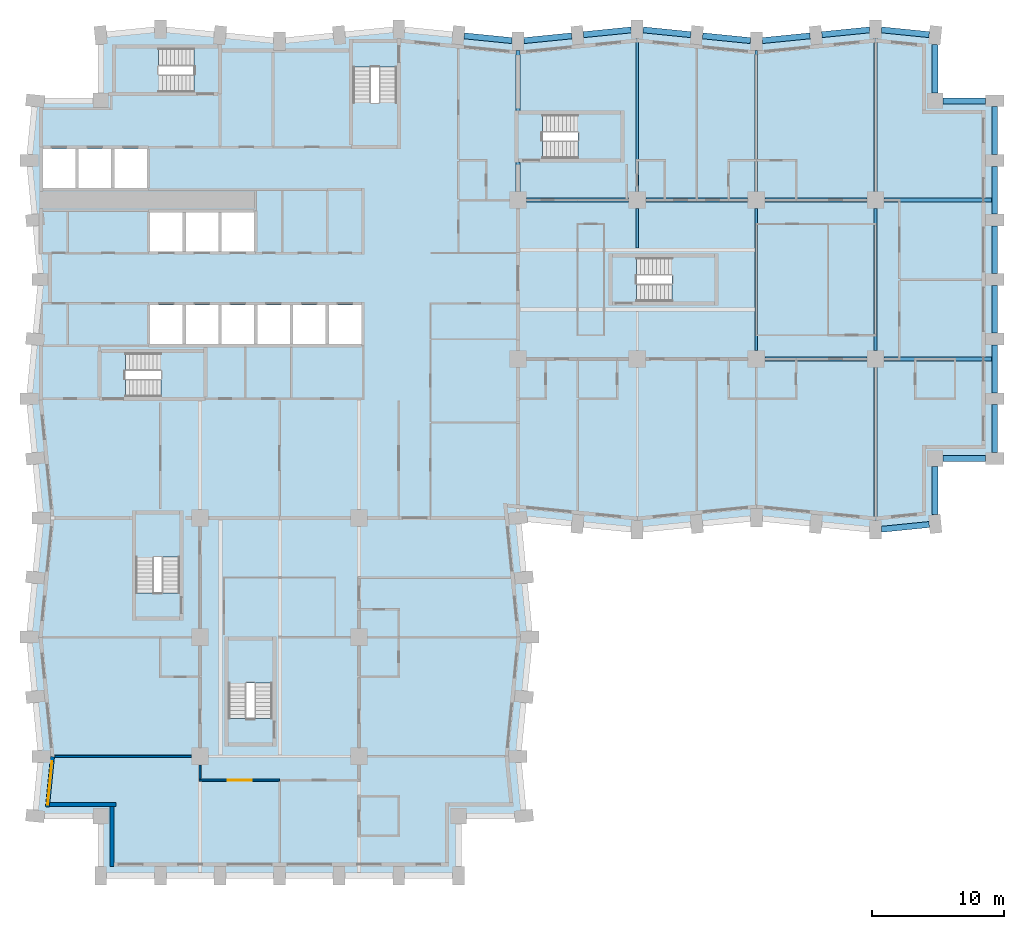
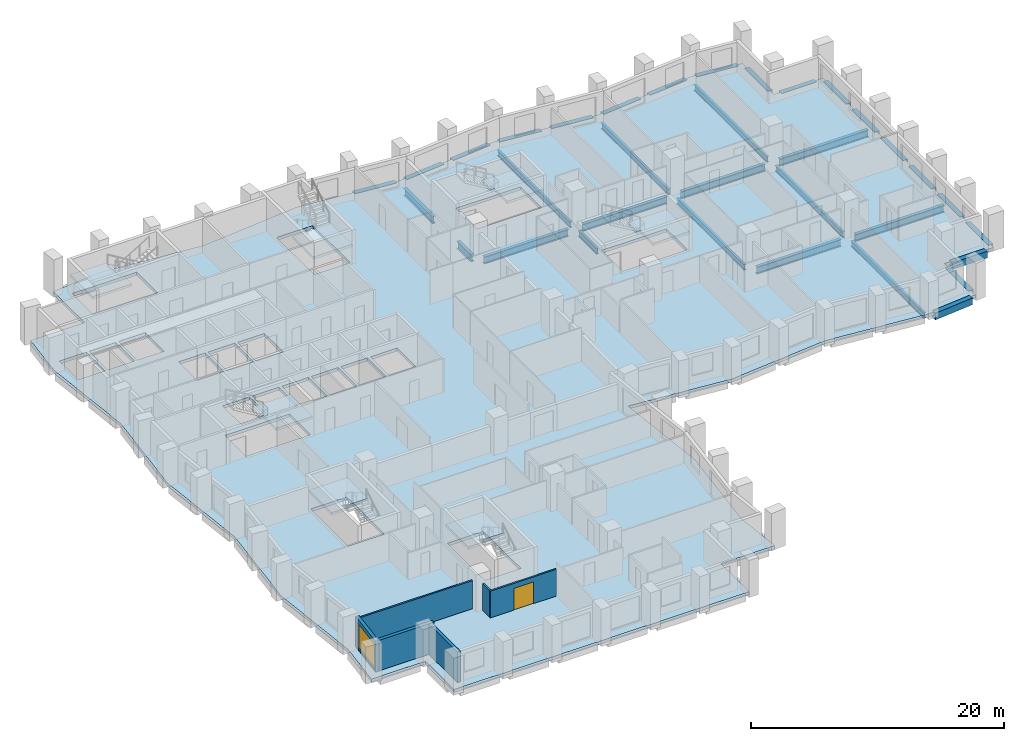
# One storey, part 2 of 13: 34 beams, 8 slabs, 6 walls, 1 door, 1 window, 2 openings, 7 elements without a shape of their own.
"""IFC4 building model written with IfcOpenShell, lengths in metres."""

from ifc_helpers import new_model, si_unit, direction, frame, frame_2d, origin, origin_2d, place, context, subcontext, project, spatial, polyline, rectangle, i_section, outline, extrude, material, layer, layer_set, material_profile, profile_set, type_object, element, fill, aggregate, save


model = new_model("IFC4")

# Units and contexts
model_context = context("Model", 3, precision=1e-05, world=origin(), true_north=direction((0.0, 1.0)))
body_context = subcontext(model_context, "Body", "Model", "MODEL_VIEW")
ifc_project = project(units=[si_unit("LENGTHUNIT", "METRE"), si_unit("AREAUNIT", "SQUARE_METRE"), si_unit("VOLUMEUNIT", "CUBIC_METRE"), si_unit("PLANEANGLEUNIT", "RADIAN"), si_unit("MASSUNIT", "GRAM", prefix="KILO")], contexts=[model_context])

# Site, building, storey
site_placement = place(None, origin())
site = spatial("IfcSite", under=ifc_project, at=site_placement, CompositionType="ELEMENT")
building_placement = place(site_placement, origin())
building = spatial("IfcBuilding", under=site, at=building_placement, Name="Brondeck Convention Tower", CompositionType="ELEMENT")
storey_placement = place(building_placement, frame((0.0, 0.0, 48.300048828125)))
storey = spatial("IfcBuildingStorey", under=building, at=storey_placement, Name="L09", CompositionType="ELEMENT", Elevation=48.300048828125)

# Beams
ifc_material_1 = material(Name="Steel S355", Category="steel")
ifc_material_profile_1 = material_profile(ifc_material_1, i_section(OverallWidth=0.2099609375, OverallDepth=0.550048828125, WebThickness=0.010986328125, FlangeThickness=0.01708984375, FilletRadius=0.02392578125, at=origin_2d()), Name="IPE 550")
ifc_profile_set_1 = profile_set([ifc_material_profile_1], Name="Steel S355")
beam_type_1 = type_object("IfcBeamType", Name="Floor beam IPE 550", PredefinedType="BEAM", material=ifc_profile_set_1)
beam_1_placement = place(storey_placement, frame((45.0, 51.64990234375, -0.574951171875), z_axis=(0.0, 1.0, 0.0), x_axis=(-1.0, 0.0, 0.0)))
element("IfcBeam", 1, at=beam_1_placement, inside=storey, type_object=beam_type_1, Name="STR-FB-L09-002", PredefinedType="BEAM", context=body_context, shape_type="SweptSolid", body=[
    extrude(i_section(OverallWidth=0.2099609375, OverallDepth=0.550048828125, WebThickness=0.010986328125, FlangeThickness=0.01708984375, FilletRadius=0.02392578125, at=origin_2d()), origin(), (0.0, 0.0, 1.0), 11.550048828125),
])
beam_2_placement = place(storey_placement, frame((54.0, 39.64990234375, -0.574951171875), z_axis=(0.0, 1.0, 0.0), x_axis=(-1.0, 0.0, 0.0)))
element("IfcBeam", 2, at=beam_2_placement, inside=storey, type_object=beam_type_1, Name="STR-FB-L09-004", PredefinedType="BEAM", context=body_context, shape_type="SweptSolid", body=[
    extrude(i_section(OverallWidth=0.2099609375, OverallDepth=0.550048828125, WebThickness=0.010986328125, FlangeThickness=0.01708984375, FilletRadius=0.02392578125, at=origin_2d()), origin(), (0.0, 0.0, 1.0), 10.7001953125),
])
beam_3_placement = place(storey_placement, frame((54.0, 51.64990234375, -0.574951171875), z_axis=(0.0, 1.0, 0.0), x_axis=(-1.0, 0.0, 0.0)))
element("IfcBeam", 3, at=beam_3_placement, inside=storey, type_object=beam_type_1, Name="STR-FB-L09-005", PredefinedType="BEAM", context=body_context, shape_type="SweptSolid", body=[
    extrude(i_section(OverallWidth=0.2099609375, OverallDepth=0.550048828125, WebThickness=0.010986328125, FlangeThickness=0.01708984375, FilletRadius=0.02392578125, at=origin_2d()), origin(), (0.0, 0.0, 1.0), 10.650146484375),
])
beam_4_placement = place(storey_placement, frame((63.0, 26.800048828125, -0.574951171875), z_axis=(0.0, 1.0, 0.0), x_axis=(-1.0, 0.0, 0.0)))
element("IfcBeam", 4, at=beam_4_placement, inside=storey, type_object=beam_type_1, Name="STR-FB-L09-006", PredefinedType="BEAM", context=body_context, shape_type="SweptSolid", body=[
    extrude(i_section(OverallWidth=0.2099609375, OverallDepth=0.550048828125, WebThickness=0.010986328125, FlangeThickness=0.01708984375, FilletRadius=0.02392578125, at=origin_2d()), origin(), (0.0, 0.0, 1.0), 11.550048828125),
])
beam_5_placement = place(storey_placement, frame((63.0, 39.64990234375, -0.574951171875), z_axis=(0.0, 1.0, 0.0), x_axis=(-1.0, 0.0, 0.0)))
element("IfcBeam", 5, at=beam_5_placement, inside=storey, type_object=beam_type_1, Name="STR-FB-L09-007", PredefinedType="BEAM", context=body_context, shape_type="SweptSolid", body=[
    extrude(i_section(OverallWidth=0.2099609375, OverallDepth=0.550048828125, WebThickness=0.010986328125, FlangeThickness=0.01708984375, FilletRadius=0.02392578125, at=origin_2d()), origin(), (0.0, 0.0, 1.0), 10.7001953125),
])
beam_6_placement = place(storey_placement, frame((63.0, 51.64990234375, -0.574951171875), z_axis=(0.0, 1.0, 0.0), x_axis=(-1.0, 0.0, 0.0)))
element("IfcBeam", 6, at=beam_6_placement, inside=storey, type_object=beam_type_1, Name="STR-FB-L09-008", PredefinedType="BEAM", context=body_context, shape_type="SweptSolid", body=[
    extrude(i_section(OverallWidth=0.2099609375, OverallDepth=0.550048828125, WebThickness=0.010986328125, FlangeThickness=0.01708984375, FilletRadius=0.02392578125, at=origin_2d()), origin(), (0.0, 0.0, 1.0), 11.550048828125),
])
beam_7_placement = place(storey_placement, frame((45.0, 47.39990234375, -0.574951171875), z_axis=(0.0, 1.0, 0.0), x_axis=(-1.0, 0.0, 0.0)))
element("IfcBeam", 7, at=beam_7_placement, inside=storey, type_object=beam_type_1, Name="STR-FB-L09-015", PredefinedType="BEAM", context=body_context, shape_type="SweptSolid", body=[
    extrude(i_section(OverallWidth=0.2099609375, OverallDepth=0.550048828125, WebThickness=0.010986328125, FlangeThickness=0.01708984375, FilletRadius=0.02392578125, at=origin_2d()), origin(), (0.0, 0.0, 1.0), 2.9501953125),
])
ifc_material_profile_2 = material_profile(ifc_material_1, i_section(OverallWidth=0.300048828125, OverallDepth=0.699951171875, WebThickness=0.01708984375, FlangeThickness=0.031982421875, FilletRadius=0.027099609375, at=origin_2d()), Name="HEB 700")
ifc_profile_set_2 = profile_set([ifc_material_profile_2], Name="Steel S355")
beam_type_2 = type_object("IfcBeamType", Name="Girder HEB 700", PredefinedType="BEAM", material=ifc_profile_set_2)
beam_8_placement = place(storey_placement, frame((54.64990234375, 39.0, -0.650146484375), z_axis=(1.0, 0.0, 0.0), x_axis=(0.0, 1.0, 0.0)))
element("IfcBeam", 8, at=beam_8_placement, inside=storey, type_object=beam_type_2, Name="STR-GR-L09-003", PredefinedType="BEAM", context=body_context, shape_type="SweptSolid", body=[
    extrude(i_section(OverallWidth=0.300048828125, OverallDepth=0.699951171875, WebThickness=0.01708984375, FlangeThickness=0.031982421875, FilletRadius=0.027099609375, at=origin_2d()), origin(), (0.0, 0.0, 1.0), 7.7001953125),
])
beam_9_placement = place(storey_placement, frame((63.64990234375, 39.0, -0.650146484375), z_axis=(1.0, 0.0, 0.0), x_axis=(0.0, 1.0, 0.0)))
element("IfcBeam", 9, at=beam_9_placement, inside=storey, type_object=beam_type_2, Name="STR-GR-L09-004", PredefinedType="BEAM", context=body_context, shape_type="SweptSolid", body=[
    extrude(i_section(OverallWidth=0.300048828125, OverallDepth=0.699951171875, WebThickness=0.01708984375, FlangeThickness=0.031982421875, FilletRadius=0.027099609375, at=origin_2d()), origin(), (0.0, 0.0, 1.0), 8.125),
])
for number, where, z_axis, x_axis, name in (
    (10, (36.64990234375, 51.0, -0.650146484375), (1.0, 0.0, 0.0), (0.0, 1.0, 0.0), "STR-GR-L09-005"),
    (11, (45.64990234375, 51.0, -0.650146484375), (1.0, 0.0, 0.0), (0.0, 1.0, 0.0), "STR-GR-L09-006"),
    (12, (54.64990234375, 51.0, -0.650146484375), (1.0, 0.0, 0.0), (0.0, 1.0, 0.0), "STR-GR-L09-007"),
):
    element("IfcBeam", number, at=place(storey_placement, frame(where, z_axis=z_axis, x_axis=x_axis)), inside=storey, type_object=beam_type_2, Name=name, PredefinedType="BEAM", context=body_context, shape_type="SweptSolid", body=[
        extrude(i_section(OverallWidth=0.300048828125, OverallDepth=0.699951171875, WebThickness=0.01708984375, FlangeThickness=0.031982421875, FilletRadius=0.027099609375, at=origin_2d()), origin(), (0.0, 0.0, 1.0), 7.7001953125),
    ])
beam_10_placement = place(storey_placement, frame((63.64990234375, 51.0, -0.650146484375), z_axis=(1.0, 0.0, 0.0), x_axis=(0.0, 1.0, 0.0)))
element("IfcBeam", 13, at=beam_10_placement, inside=storey, type_object=beam_type_2, Name="STR-GR-L09-008", PredefinedType="BEAM", context=body_context, shape_type="SweptSolid", body=[
    extrude(i_section(OverallWidth=0.300048828125, OverallDepth=0.699951171875, WebThickness=0.01708984375, FlangeThickness=0.031982421875, FilletRadius=0.027099609375, at=origin_2d()), origin(), (0.0, 0.0, 1.0), 8.125),
])
beam_11_placement = place(storey_placement, frame((36.0, 51.64990234375, -0.650146484375), z_axis=(0.0, 1.0, 0.0), x_axis=(-1.0, 0.0, 0.0)))
element("IfcBeam", 14, at=beam_11_placement, inside=storey, type_object=beam_type_2, Name="STR-GR-L09-011", PredefinedType="BEAM", context=body_context, shape_type="SweptSolid", body=[
    extrude(i_section(OverallWidth=0.300048828125, OverallDepth=0.699951171875, WebThickness=0.01708984375, FlangeThickness=0.031982421875, FilletRadius=0.027099609375, at=origin_2d()), origin(), (0.0, 0.0, 1.0), 2.22998046875),
])
beam_12_placement = place(storey_placement, frame((36.0, 57.719970703125, -0.650146484375), z_axis=(0.0, 1.0, 0.0), x_axis=(-1.0, 0.0, 0.0)))
element("IfcBeam", 15, at=beam_12_placement, inside=storey, type_object=beam_type_2, Name="STR-GR-L09-012", PredefinedType="BEAM", context=body_context, shape_type="SweptSolid", body=[
    extrude(i_section(OverallWidth=0.300048828125, OverallDepth=0.699951171875, WebThickness=0.01708984375, FlangeThickness=0.031982421875, FilletRadius=0.027099609375, at=origin_2d()), origin(), (0.0, 0.0, 1.0), 4.580078125),
])
ifc_material_2 = material(Name="Concrete C80/95", Category="concrete")
ifc_material_profile_3 = material_profile(ifc_material_2, rectangle(XDim=0.449951171875, YDim=0.64990234375, at=origin_2d()), Name="Precast spandrel 450x650 Concrete C80/95")
ifc_profile_set_3 = profile_set([ifc_material_profile_3], Name="Concrete C80/95")
beam_type_3 = type_object("IfcBeamType", Name="Precast spandrel 450x650 Concrete C80/95", PredefinedType="SPANDREL", material=ifc_profile_set_3)
beam_13_placement = place(storey_placement, frame((63.449951171875, 26.14501953125, -0.324951171875), z_axis=(0.995040528141, 0.099470334057, 0.0), x_axis=(-0.099470334057, 0.995040528141, 0.0)))
element("IfcBeam", 16, at=beam_13_placement, inside=storey, type_object=beam_type_3, Name="STR-SP-L09-020", PredefinedType="SPANDREL", context=body_context, shape_type="SweptSolid", body=[
    extrude(rectangle(XDim=0.449951171875, YDim=0.64990234375, at=origin_2d()), origin(), (0.0, 0.0, 1.0), 3.620361328125),
])
beam_14_placement = place(storey_placement, frame((67.5, 27.25341796875, -0.324951171875), z_axis=(0.0, 1.0, 0.0), x_axis=(-1.0, 0.0, 0.0)))
element("IfcBeam", 17, at=beam_14_placement, inside=storey, type_object=beam_type_3, Name="STR-SP-L09-021", PredefinedType="SPANDREL", context=body_context, shape_type="SweptSolid", body=[
    extrude(rectangle(XDim=0.449951171875, YDim=0.64990234375, at=origin_2d()), origin(), (0.0, 0.0, 1.0), 3.646484375),
])
beam_15_placement = place(storey_placement, frame((68.10009765625, 31.5, -0.324951171875), z_axis=(1.0, 0.0, 0.0), x_axis=(0.0, 1.0, 0.0)))
element("IfcBeam", 18, at=beam_15_placement, inside=storey, type_object=beam_type_3, Name="STR-SP-L09-022", PredefinedType="SPANDREL", context=body_context, shape_type="SweptSolid", body=[
    extrude(rectangle(XDim=0.449951171875, YDim=0.64990234375, at=origin_2d()), origin(), (0.0, 0.0, 1.0), 3.199951171875),
])
for number, where, z_axis, x_axis, name in (
    (19, (72.0, 31.949951171875, -0.324951171875), (0.0, 1.0, 0.0), (-1.0, 0.0, 0.0), "STR-SP-L09-023"),
    (20, (72.0, 36.449951171875, -0.324951171875), (0.0, 1.0, 0.0), (-1.0, 0.0, 0.0), "STR-SP-L09-024"),
    (21, (72.0, 40.949951171875, -0.324951171875), (0.0, 1.0, 0.0), (-1.0, 0.0, 0.0), "STR-SP-L09-025"),
    (22, (72.0, 45.449951171875, -0.324951171875), (0.0, 1.0, 0.0), (-1.0, 0.0, 0.0), "STR-SP-L09-026"),
    (23, (72.0, 49.949951171875, -0.324951171875), (0.0, 1.0, 0.0), (-1.0, 0.0, 0.0), "STR-SP-L09-027"),
    (24, (72.0, 54.449951171875, -0.324951171875), (0.0, 1.0, 0.0), (-1.0, 0.0, 0.0), "STR-SP-L09-028"),
):
    element("IfcBeam", number, at=place(storey_placement, frame(where, z_axis=z_axis, x_axis=x_axis)), inside=storey, type_object=beam_type_3, Name=name, PredefinedType="SPANDREL", context=body_context, shape_type="SweptSolid", body=[
        extrude(rectangle(XDim=0.449951171875, YDim=0.64990234375, at=origin_2d()), origin(), (0.0, 0.0, 1.0), 3.60009765625),
    ])
beam_16_placement = place(storey_placement, frame((71.300048828125, 58.5, -0.324951171875), z_axis=(-1.0, 0.0, 0.0), x_axis=(0.0, -1.0, 0.0)))
element("IfcBeam", 25, at=beam_16_placement, inside=storey, type_object=beam_type_3, Name="STR-SP-L09-029", PredefinedType="SPANDREL", context=body_context, shape_type="SweptSolid", body=[
    extrude(rectangle(XDim=0.449951171875, YDim=0.64990234375, at=origin_2d()), origin(), (0.0, 0.0, 1.0), 3.199951171875),
])
beam_17_placement = place(storey_placement, frame((67.5, 59.10009765625, -0.324951171875), z_axis=(0.0, 1.0, 0.0), x_axis=(-1.0, 0.0, 0.0)))
element("IfcBeam", 26, at=beam_17_placement, inside=storey, type_object=beam_type_3, Name="STR-SP-L09-030", PredefinedType="SPANDREL", context=body_context, shape_type="SweptSolid", body=[
    extrude(rectangle(XDim=0.449951171875, YDim=0.64990234375, at=origin_2d()), origin(), (0.0, 0.0, 1.0), 3.646484375),
])
for number, where, z_axis, x_axis, name in (
    (27, (67.05224609375, 63.494873046875, -0.324951171875), (-0.995040528141, 0.099470334057, 0.0), (-0.099470334057, -0.995040528141, 0.0), "STR-SP-L09-031"),
    (28, (62.550048828125, 63.85498046875, -0.324951171875), (-0.995040528141, -0.099470334057, 0.0), (0.099470334057, -0.995040528141, 0.0), "STR-SP-L09-032"),
    (29, (58.05224609375, 63.4052734375, -0.324951171875), (-0.995033851182, -0.099537103649, 0.0), (0.099537103649, -0.995033851182, 0.0), "STR-SP-L09-033"),
    (30, (53.550048828125, 63.044921875, -0.324951171875), (-0.995033851182, 0.099537103649, 0.0), (-0.099537103649, -0.995033851182, 0.0), "STR-SP-L09-034"),
    (31, (49.05224609375, 63.494873046875, -0.324951171875), (-0.995040528141, 0.099470334057, 0.0), (-0.099470334057, -0.995040528141, 0.0), "STR-SP-L09-035"),
    (32, (44.550048828125, 63.85498046875, -0.324951171875), (-0.995040528141, -0.099470334057, 0.0), (0.099470334057, -0.995040528141, 0.0), "STR-SP-L09-036"),
    (33, (40.05224609375, 63.4052734375, -0.324951171875), (-0.995033851182, -0.099537103649, 0.0), (0.099537103649, -0.995033851182, 0.0), "STR-SP-L09-037"),
    (34, (35.550048828125, 63.044921875, -0.324951171875), (-0.995033851182, 0.099537103649, 0.0), (-0.099537103649, -0.995033851182, 0.0), "STR-SP-L09-038"),
):
    element("IfcBeam", number, at=place(storey_placement, frame(where, z_axis=z_axis, x_axis=x_axis)), inside=storey, type_object=beam_type_3, Name=name, PredefinedType="SPANDREL", context=body_context, shape_type="SweptSolid", body=[
        extrude(rectangle(XDim=0.449951171875, YDim=0.64990234375, at=origin_2d()), origin(), (0.0, 0.0, 1.0), 3.620361328125),
    ])

# Slab
ifc_material_3 = material(Name="Concrete C35/45", Category="concrete")
ifc_layer_1 = layer(ifc_material_3, 0.300048828125)
ifc_layer_set_1 = layer_set([ifc_layer_1], Name="Composite floor slab 300")
slab_type_1 = type_object("IfcSlabType", Name="Composite floor slab 300", PredefinedType="FLOOR", material=ifc_layer_set_1)
slab_1_placement = place(storey_placement, frame((0.0, 0.0, -0.300048828125)))
element("IfcSlab", 35, at=slab_1_placement, inside=storey, type_object=slab_type_1, Name="STR-SL-L09", PredefinedType="FLOOR", context=body_context, shape_type="SweptSolid", body=[
    extrude(outline(polyline([(4.5, 4.5), (-0.449951171875, 4.5), (0.0, 9.0), (-0.89990234375, 18.0), (0.0, 27.0), (-0.89990234375, 36.0), (0.0, 45.0), (-0.89990234375, 54.0), (-0.449951171875, 58.5), (4.5, 58.5), (4.5, 63.449951171875), (9.0, 63.89990234375), (18.0, 63.0), (27.0, 63.89990234375), (36.0, 63.0), (45.0, 63.89990234375), (54.0, 63.0), (63.0, 63.89990234375), (67.5, 63.449951171875), (67.5, 58.5), (72.0, 58.5), (72.0, 31.5), (67.5, 31.5), (67.5, 26.550048828125), (63.0, 26.10009765625), (54.0, 27.0), (45.0, 26.10009765625), (36.0, 27.0), (36.89990234375, 18.0), (36.0, 9.0), (36.449951171875, 4.5), (31.5, 4.5), (31.5, 0.0), (4.5, 0.0), (4.5, 4.5)]), holes=[polyline([(10.447998046875, 27.248046875), (7.152099609375, 27.248046875), (7.152099609375, 21.35205078125), (10.447998046875, 21.35205078125), (10.447998046875, 27.248046875)]), polyline([(12.248046875, 36.152099609375), (12.248046875, 39.447998046875), (6.35205078125, 39.447998046875), (6.35205078125, 36.152099609375), (12.248046875, 36.152099609375)]), polyline([(10.675048828125, 40.125), (10.675048828125, 43.074951171875), (8.22509765625, 43.074951171875), (8.22509765625, 40.125), (10.675048828125, 40.125)]), polyline([(13.375, 40.125), (13.375, 43.074951171875), (10.925048828125, 43.074951171875), (10.925048828125, 40.125), (13.375, 40.125)]), polyline([(10.675048828125, 47.125), (10.675048828125, 50.074951171875), (8.22509765625, 50.074951171875), (8.22509765625, 47.125), (10.675048828125, 47.125)]), polyline([(13.375, 47.125), (13.375, 50.074951171875), (10.925048828125, 50.074951171875), (10.925048828125, 47.125), (13.375, 47.125)]), polyline([(2.574951171875, 51.925048828125), (2.574951171875, 54.875), (0.125, 54.875), (0.125, 51.925048828125), (2.574951171875, 51.925048828125)]), polyline([(2.824951171875, 51.925048828125), (5.27490234375, 51.925048828125), (5.27490234375, 54.875), (2.824951171875, 54.875), (2.824951171875, 51.925048828125)]), polyline([(5.52490234375, 51.925048828125), (7.97509765625, 51.925048828125), (7.97509765625, 54.875), (5.52490234375, 54.875), (5.52490234375, 51.925048828125)]), polyline([(5.652099609375, 62.447998046875), (5.652099609375, 59.152099609375), (11.548095703125, 59.152099609375), (11.548095703125, 62.447998046875), (5.652099609375, 62.447998046875)]), polyline([(17.447998046875, 17.748046875), (14.152099609375, 17.748046875), (14.152099609375, 11.85205078125), (17.447998046875, 11.85205078125), (17.447998046875, 17.748046875)]), polyline([(16.074951171875, 40.125), (16.074951171875, 43.074951171875), (13.625, 43.074951171875), (13.625, 40.125), (16.074951171875, 40.125)]), polyline([(16.324951171875, 40.125), (18.77490234375, 40.125), (18.77490234375, 43.074951171875), (16.324951171875, 43.074951171875), (16.324951171875, 40.125)]), polyline([(19.02490234375, 40.125), (21.47509765625, 40.125), (21.47509765625, 43.074951171875), (19.02490234375, 43.074951171875), (19.02490234375, 40.125)]), polyline([(24.175048828125, 40.125), (24.175048828125, 43.074951171875), (21.72509765625, 43.074951171875), (21.72509765625, 40.125), (24.175048828125, 40.125)]), polyline([(50.847900390625, 43.35205078125), (50.847900390625, 46.64794921875), (44.951904296875, 46.64794921875), (44.951904296875, 43.35205078125), (50.847900390625, 43.35205078125)]), polyline([(16.074951171875, 47.125), (16.074951171875, 50.074951171875), (13.625, 50.074951171875), (13.625, 47.125), (16.074951171875, 47.125)]), polyline([(37.85205078125, 54.152099609375), (43.748046875, 54.152099609375), (43.748046875, 57.447998046875), (37.85205078125, 57.447998046875), (37.85205078125, 54.152099609375)]), polyline([(23.552001953125, 61.048095703125), (23.552001953125, 55.152099609375), (26.847900390625, 55.152099609375), (26.847900390625, 61.048095703125), (23.552001953125, 61.048095703125)])]), origin(), (0.0, 0.0, 1.0), 0.300048828125),
])

# Stair, slab
ifc_material_4 = material(Name="Precast concrete C50/60", Category="concrete")
stair_type = type_object("IfcStairType", Name="Core stair 20 risers 180.00 mm riser 300 mm going 1350 wide", PredefinedType="HALF_TURN_STAIR", material=ifc_material_4)
stair_1_placement = place(storey_placement, origin())
stair_1 = element("IfcStair", 36, at=stair_1_placement, inside=storey, type_object=stair_type, Name="ST-1 L09 stair", PredefinedType="HALF_TURN_STAIR")
ifc_layer_2 = layer(ifc_material_4, 0.25)
ifc_layer_set_2 = layer_set([ifc_layer_2], Name="Core stair landing 250 Precast concrete C50/60")
slab_type_2 = type_object("IfcSlabType", Name="Core stair landing 250 Precast concrete C50/60", PredefinedType="LANDING", material=ifc_layer_set_2)
slab_2_placement = place(storey_placement, frame((0.0, 0.0, 1.550048828125)))
slab_2 = element("IfcSlab", 37, at=slab_2_placement, type_object=slab_type_2, Name="ST-1 landing 1", PredefinedType="LANDING", context=body_context, shape_type="SweptSolid", body=[
    extrude(outline(polyline([(9.048095703125, 37.5), (9.050048828125, 37.5), (9.050048828125, 38.10009765625), (8.75, 38.10009765625), (8.75, 39.570068359375), (12.3701171875, 39.570068359375), (12.3701171875, 36.030029296875), (9.048095703125, 36.030029296875), (9.048095703125, 37.5)])), origin(), (0.0, 0.0, 1.0), 0.25),
])
aggregate(stair_1, [slab_2])

stair_2_placement = place(storey_placement, origin())
stair_2 = element("IfcStair", 38, at=stair_2_placement, inside=storey, type_object=stair_type, Name="ST-2 L09 stair", PredefinedType="HALF_TURN_STAIR")
slab_3_placement = place(storey_placement, frame((0.0, 0.0, 1.550048828125)))
slab_3 = element("IfcSlab", 39, at=slab_3_placement, type_object=slab_type_2, Name="ST-2 landing 1", PredefinedType="LANDING", context=body_context, shape_type="SweptSolid", body=[
    extrude(outline(polyline([(23.429931640625, 58.35205078125), (24.89990234375, 58.35205078125), (24.89990234375, 58.35009765625), (25.5, 58.35009765625), (25.5, 58.64990234375), (26.969970703125, 58.64990234375), (26.969970703125, 55.030029296875), (23.429931640625, 55.030029296875), (23.429931640625, 58.35205078125)])), origin(), (0.0, 0.0, 1.0), 0.25),
])
aggregate(stair_2, [slab_3])

stair_3_placement = place(storey_placement, origin())
stair_3 = element("IfcStair", 40, at=stair_3_placement, inside=storey, type_object=stair_type, Name="ST-3 L09 stair", PredefinedType="HALF_TURN_STAIR")
slab_4_placement = place(storey_placement, frame((0.0, 0.0, 1.550048828125)))
slab_4 = element("IfcSlab", 41, at=slab_4_placement, type_object=slab_type_2, Name="ST-3 landing 1", PredefinedType="LANDING", context=body_context, shape_type="SweptSolid", body=[
    extrude(outline(polyline([(9.14990234375, 60.5), (9.14990234375, 59.030029296875), (5.530029296875, 59.030029296875), (5.530029296875, 62.570068359375), (8.85205078125, 62.570068359375), (8.85205078125, 61.10009765625), (8.85009765625, 61.10009765625), (8.85009765625, 60.5), (9.14990234375, 60.5)])), origin(), (0.0, 0.0, 1.0), 0.25),
])
aggregate(stair_3, [slab_4])

stair_4_placement = place(storey_placement, origin())
stair_4 = element("IfcStair", 42, at=stair_4_placement, inside=storey, type_object=stair_type, Name="ST-AE L09 stair", PredefinedType="HALF_TURN_STAIR")
slab_5_placement = place(storey_placement, frame((0.0, 0.0, 1.550048828125)))
slab_5 = element("IfcSlab", 43, at=slab_5_placement, type_object=slab_type_2, Name="ST-AE landing 1", PredefinedType="LANDING", context=body_context, shape_type="SweptSolid", body=[
    extrude(outline(polyline([(40.548095703125, 55.5), (40.550048828125, 55.5), (40.550048828125, 56.10009765625), (40.25, 56.10009765625), (40.25, 57.570068359375), (43.8701171875, 57.570068359375), (43.8701171875, 54.030029296875), (40.548095703125, 54.030029296875), (40.548095703125, 55.5)])), origin(), (0.0, 0.0, 1.0), 0.25),
])
aggregate(stair_4, [slab_5])

stair_5_placement = place(storey_placement, origin())
stair_5 = element("IfcStair", 44, at=stair_5_placement, inside=storey, type_object=stair_type, Name="ST-BE L09 stair", PredefinedType="HALF_TURN_STAIR")
slab_6_placement = place(storey_placement, frame((0.0, 0.0, 1.550048828125)))
slab_6 = element("IfcSlab", 45, at=slab_6_placement, type_object=slab_type_2, Name="ST-BE landing 1", PredefinedType="LANDING", context=body_context, shape_type="SweptSolid", body=[
    extrude(outline(polyline([(7.030029296875, 23.75), (7.030029296875, 27.3701171875), (10.570068359375, 27.3701171875), (10.570068359375, 24.048095703125), (9.10009765625, 24.048095703125), (9.10009765625, 24.050048828125), (8.5, 24.050048828125), (8.5, 23.75), (7.030029296875, 23.75)])), origin(), (0.0, 0.0, 1.0), 0.25),
])
aggregate(stair_5, [slab_6])

stair_6_placement = place(storey_placement, origin())
stair_6 = element("IfcStair", 46, at=stair_6_placement, inside=storey, type_object=stair_type, Name="ST-AF L09 stair", PredefinedType="HALF_TURN_STAIR")
slab_7_placement = place(storey_placement, frame((0.0, 0.0, 1.550048828125)))
slab_7 = element("IfcSlab", 47, at=slab_7_placement, type_object=slab_type_2, Name="ST-AF landing 1", PredefinedType="LANDING", context=body_context, shape_type="SweptSolid", body=[
    extrude(outline(polyline([(47.64794921875, 44.699951171875), (47.64990234375, 44.699951171875), (47.64990234375, 45.300048828125), (47.35009765625, 45.300048828125), (47.35009765625, 46.77001953125), (50.969970703125, 46.77001953125), (50.969970703125, 43.22998046875), (47.64794921875, 43.22998046875), (47.64794921875, 44.699951171875)])), origin(), (0.0, 0.0, 1.0), 0.25),
])
aggregate(stair_6, [slab_7])

stair_7_placement = place(storey_placement, origin())
stair_7 = element("IfcStair", 48, at=stair_7_placement, inside=storey, type_object=stair_type, Name="ST-BF L09 stair", PredefinedType="HALF_TURN_STAIR")
slab_8_placement = place(storey_placement, frame((0.0, 0.0, 1.550048828125)))
slab_8 = element("IfcSlab", 49, at=slab_8_placement, type_object=slab_type_2, Name="ST-BF landing 1", PredefinedType="LANDING", context=body_context, shape_type="SweptSolid", body=[
    extrude(outline(polyline([(14.030029296875, 14.25), (14.030029296875, 17.8701171875), (17.570068359375, 17.8701171875), (17.570068359375, 14.548095703125), (16.10009765625, 14.548095703125), (16.10009765625, 14.550048828125), (15.5, 14.550048828125), (15.5, 14.25), (14.030029296875, 14.25)])), origin(), (0.0, 0.0, 1.0), 0.25),
])
aggregate(stair_7, [slab_8])

# Wall, opening, window
ifc_material_5 = material(Name="Precast concrete C50/60 bronze finish", Category="concrete")
ifc_layer_3 = layer(ifc_material_5, 0.070068359375, Name="Bronze precast facing")
ifc_material_6 = material(Name="Mineral wool")
ifc_layer_4 = layer(ifc_material_6, 0.159912109375, Name="Insulation")
ifc_layer_5 = layer(ifc_material_3, 0.070068359375, Name="Backing")
ifc_layer_set_3 = layer_set([ifc_layer_3, ifc_layer_4, ifc_layer_5], Name="External infill wall, precast concrete C50/60 bronze facing")
wall_type_1 = type_object("IfcWallType", Name="External infill wall, precast concrete C50/60 bronze facing", PredefinedType="SOLIDWALL", material=ifc_layer_set_3)
wall_1_placement = place(storey_placement, frame((0.47265625, 5.18505859375, 0.0), z_axis=(0.0, 0.0, 1.0), x_axis=(0.099541845169, 0.995033376857, 0.0)))
wall_1 = element("IfcWall", 50, at=wall_1_placement, inside=storey, type_object=wall_type_1, Name="ENV-EW-L09-P0-B-W-12", PredefinedType="SOLIDWALL", context=body_context, shape_type="SweptSolid", body=[
    extrude(rectangle(XDim=3.803955078125, YDim=0.300048828125, at=frame_2d((1.90185546875, 0.0))), origin(), (0.0, 0.0, 1.0), 2.949951171875),
])
opening_1_placement = place(wall_1_placement, frame((0.14990234375, 0.0, 0.14990234375)))
opening_1 = element("IfcOpeningElement", 51, at=opening_1_placement, cuts=wall_1, Name="Opening W9", PredefinedType="OPENING", context=body_context, shape_type="SweptSolid", body=[
    extrude(rectangle(XDim=3.300048828125, YDim=2.39990234375, at=frame_2d((1.64990234375, 1.199951171875))), frame((0.0, 0.159912109375, 0.0), z_axis=(0.0, -1.0, 0.0), x_axis=(1.0, 0.0, 0.0)), (0.0, 0.0, 1.0), 0.320068359375),
])
ifc_material_7 = material(Name="Bronze tinted double glazing", Category="glass")
window_type = type_object("IfcWindowType", Name="Glazed flute window, bronze tinted", PartitioningType="SINGLE_PANEL", PredefinedType="WINDOW", material=ifc_material_7)
window_placement = place(opening_1_placement, origin())
window = element("IfcWindow", 52, at=window_placement, inside=storey, type_object=window_type, Name="ENV-WN-L09-P0-B-W-12", OverallHeight=2.39990234375, OverallWidth=3.300048828125, PartitioningType="SINGLE_PANEL", PredefinedType="WINDOW", context=body_context, shape_type="SweptSolid", body=[
    extrude(rectangle(XDim=3.300048828125, YDim=2.39990234375, at=frame_2d((1.64990234375, 1.199951171875))), frame((0.0, 0.030029296875, 0.0), z_axis=(0.0, -1.0, 0.0), x_axis=(1.0, 0.0, 0.0)), (0.0, 0.0, 1.0), 0.06005859375),
])
fill(opening_1, window)

# Walls
wall_2_placement = place(storey_placement, frame((5.64990234375, 5.35009765625, 0.0), z_axis=(0.0, 0.0, 1.0), x_axis=(-1.0, 0.0, 0.0)))
element("IfcWall", 53, at=wall_2_placement, inside=storey, type_object=wall_type_1, Name="ENV-EW-L09-P0-NC-SWB0-01", PredefinedType="SOLIDWALL", context=body_context, shape_type="SweptSolid", body=[
    extrude(rectangle(XDim=5.004638671875, YDim=0.300048828125, at=frame_2d((2.50244140625, 0.0))), origin(), (0.0, 0.0, 1.0), 2.949951171875),
])
wall_3_placement = place(storey_placement, frame((5.35009765625, 0.699951171875, 0.0), z_axis=(0.0, 0.0, 1.0), x_axis=(0.0, 1.0, 0.0)))
element("IfcWall", 54, at=wall_3_placement, inside=storey, type_object=wall_type_1, Name="ENV-EW-L09-P0-NC-SWB0-02", PredefinedType="SOLIDWALL", context=body_context, shape_type="SweptSolid", body=[
    extrude(rectangle(XDim=4.5, YDim=0.300048828125, at=frame_2d((2.25, 0.0))), origin(), (0.0, 0.0, 1.0), 2.949951171875),
])

# Wall, opening, door
ifc_material_8 = material(Name="Double gypsum board acoustic wall")
ifc_layer_6 = layer(ifc_material_8, 0.14990234375)
ifc_layer_set_4 = layer_set([ifc_layer_6], Name="Guest room party wall 150")
wall_type_2 = type_object("IfcWallType", Name="Guest room party wall 150", PredefinedType="PARTITIONING", material=ifc_layer_set_4)
wall_4_placement = place(storey_placement, frame((18.0, 7.199951171875, 0.0), z_axis=(0.0, 0.0, 1.0), x_axis=(-1.0, 0.0, 0.0)))
wall_4 = element("IfcWall", 55, at=wall_4_placement, inside=storey, type_object=wall_type_2, Name="FLR-L09-W006", PredefinedType="PARTITIONING", context=body_context, shape_type="SweptSolid", body=[
    extrude(rectangle(XDim=6.074951171875, YDim=0.14990234375, at=frame_2d((3.03759765625, 0.0))), origin(), (0.0, 0.0, 1.0), 2.579833984375),
])
opening_2_placement = place(wall_4_placement, frame((2.10009765625, 0.0, 0.0)))
opening_2 = element("IfcOpeningElement", 56, at=opening_2_placement, cuts=wall_4, Name="Opening H2-030", PredefinedType="OPENING", context=body_context, shape_type="SweptSolid", body=[
    extrude(rectangle(XDim=1.800048828125, YDim=2.10009765625, at=frame_2d((0.89990234375, 1.050048828125))), frame((0.0, 0.0849609375, 0.0), z_axis=(0.0, -1.0, 0.0), x_axis=(1.0, 0.0, 0.0)), (0.0, 0.0, 1.0), 0.169921875),
])
ifc_material_9 = material(Name="Glazed timber double door", Category="wood")
door_type = type_object("IfcDoorType", Name="Double door 1800", OperationType="DOUBLE_DOOR_SINGLE_SWING", PredefinedType="DOOR", material=ifc_material_9)
door_placement = place(opening_2_placement, origin())
door = element("IfcDoor", 57, at=door_placement, inside=storey, type_object=door_type, Name="Door H2-030", OperationType="DOUBLE_DOOR_SINGLE_SWING", OverallHeight=2.10009765625, OverallWidth=1.800048828125, PredefinedType="DOOR", context=body_context, shape_type="SweptSolid", body=[
    extrude(rectangle(XDim=1.800048828125, YDim=2.10009765625, at=frame_2d((0.89990234375, 1.050048828125))), frame((0.0, 0.02490234375, 0.0), z_axis=(0.0, -1.0, 0.0), x_axis=(1.0, 0.0, 0.0)), (0.0, 0.0, 1.0), 0.050048828125),
])
fill(opening_2, door)

# Walls
wall_5_placement = place(storey_placement, frame((12.0, 7.27490234375, 0.0), z_axis=(0.0, 0.0, 1.0), x_axis=(0.0, 1.0, 0.0)))
element("IfcWall", 58, at=wall_5_placement, inside=storey, type_object=wall_type_2, Name="FLR-L09-W008", PredefinedType="PARTITIONING", context=body_context, shape_type="SweptSolid", body=[
    extrude(rectangle(XDim=1.070068359375, YDim=0.14990234375, at=frame_2d((0.53515625, 0.0))), origin(), (0.0, 0.0, 1.0), 2.579833984375),
])
wall_6_placement = place(storey_placement, frame((11.344970703125, 9.0, 0.0), z_axis=(0.0, 0.0, 1.0), x_axis=(-1.0, 0.0, 0.0)))
element("IfcWall", 59, at=wall_6_placement, inside=storey, type_object=wall_type_2, Name="FLR-L09-W010", PredefinedType="PARTITIONING", context=body_context, shape_type="SweptSolid", body=[
    extrude(rectangle(XDim=10.320068359375, YDim=0.14990234375, at=frame_2d((5.16015625, 0.0))), origin(), (0.0, 0.0, 1.0), 2.72998046875),
])

save(model, "model.ifc")
